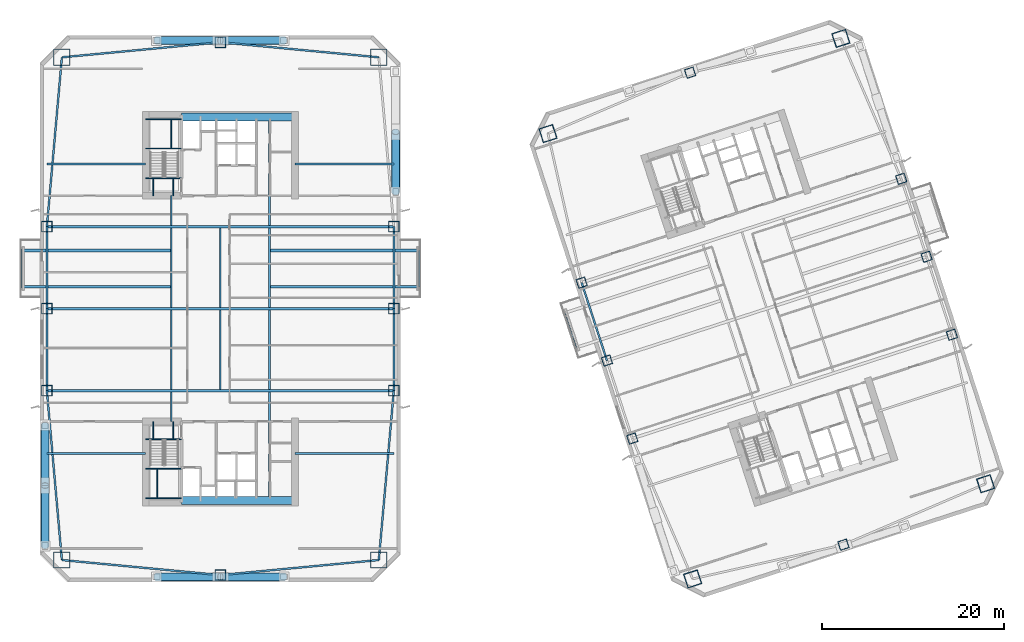
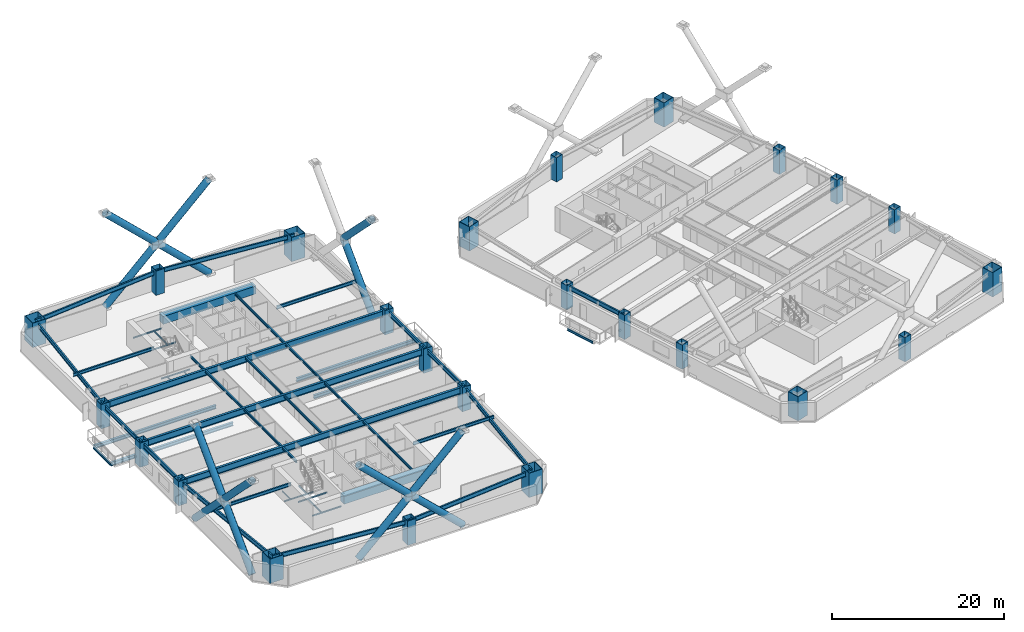
# One storey, part 1 of 18: 50 beams, 24 columns, 14 members.
"""IFC4 building model written with IfcOpenShell, lengths in metres."""

from ifc_helpers import new_model, si_unit, direction, frame, origin, origin_2d, place, context, subcontext, project, spatial, rectangle, hollow_rectangle, hollow_circle, i_section, extrude, material, material_profile, profile_set, type_object, element, save


model = new_model("IFC4")

# Units and contexts
model_context = context("Model", 3, precision=1e-05, world=origin(), true_north=direction((0.0, 1.0)))
body_context = subcontext(model_context, "Body", "Model", "MODEL_VIEW")
ifc_project = project(units=[si_unit("LENGTHUNIT", "METRE"), si_unit("AREAUNIT", "SQUARE_METRE"), si_unit("VOLUMEUNIT", "CUBIC_METRE"), si_unit("PLANEANGLEUNIT", "RADIAN"), si_unit("MASSUNIT", "GRAM", prefix="KILO")], contexts=[model_context])

# Site, building, storey
site_placement = place(None, origin())
site = spatial("IfcSite", under=ifc_project, at=site_placement, CompositionType="ELEMENT")
building_placement = place(site_placement, origin())
building = spatial("IfcBuilding", under=site, at=building_placement, Name="Qiaolan Cultural Towers", CompositionType="ELEMENT")
storey_placement = place(building_placement, frame((0.0, 0.0, 57.5)))
storey = spatial("IfcBuildingStorey", under=building, at=storey_placement, Name="L13", CompositionType="ELEMENT", Elevation=57.5)

# Columns
ifc_material_1 = material(Name="Steel Q355B", Category="steel")
ifc_material_profile_1 = material_profile(ifc_material_1, hollow_rectangle(XDim=1.0, YDim=1.0, WallThickness=0.035888671875, at=origin_2d()), Name="BOX1000x1000x36")
ifc_profile_set_1 = profile_set([ifc_material_profile_1], Name="Steel Q355B")
column_type_1 = type_object("IfcColumnType", Name="COL-BOX1000x1000x36", PredefinedType="COLUMN", material=ifc_profile_set_1)
for number, where, z_axis, x_axis, name in (
    (1, (75.234130859375, 19.739013671875, 0.0), (0.0, 0.0, 1.0), (0.951056516295, 0.309016994375, 0.0), "L13 T2 Perimeter Column PC-W1"),
    (2, (72.453125, 28.298583984375, 0.0), (0.0, 0.0, 1.0), (0.951056516295, 0.309016994375, 0.0), "L13 T2 Perimeter Column PC-W2"),
    (3, (69.671875, 36.858154296875, 0.0), (0.0, 0.0, 1.0), (0.951056516295, 0.309016994375, 0.0), "L13 T2 Perimeter Column PC-W3"),
    (4, (110.328125, 31.141845703125, 0.0), (0.0, 0.0, 1.0), (0.951056516295, 0.309016994375, 0.0), "L13 T2 Perimeter Column PC-E1"),
    (5, (107.546875, 39.701416015625, 0.0), (0.0, 0.0, 1.0), (0.951056516295, 0.309016994375, 0.0), "L13 T2 Perimeter Column PC-E2"),
    (6, (104.765869140625, 48.260986328125, 0.0), (0.0, 0.0, 1.0), (0.951056516295, 0.309016994375, 0.0), "L13 T2 Perimeter Column PC-E3"),
    (7, (98.420654296875, 8.083740234375, 0.0), (0.0, 0.0, 1.0), (0.951056516295, 0.309016994375, 0.0), "L13 T2 Perimeter Column PC-S0"),
    (8, (81.579345703125, 59.916259765625, 0.0), (0.0, 0.0, 1.0), (0.951056516295, 0.309016994375, 0.0), "L13 T2 Perimeter Column PC-N0"),
):
    element("IfcColumn", number, at=place(storey_placement, frame(where, z_axis=z_axis, x_axis=x_axis)), inside=storey, type_object=column_type_1, Name=name, PredefinedType="COLUMN", context=body_context, shape_type="SweptSolid", body=[
        extrude(hollow_rectangle(XDim=1.0, YDim=1.0, WallThickness=0.035888671875, at=origin_2d()), origin(), (0.0, 0.0, 1.0), 3.450927734375),
    ])
ifc_material_2 = material(Name="Steel Q390GJB", Category="steel")
ifc_material_profile_2 = material_profile(ifc_material_2, hollow_rectangle(XDim=1.14990234375, YDim=1.14990234375, WallThickness=0.0400390625, at=origin_2d()), Name="BOX1150x1150x40")
ifc_profile_set_2 = profile_set([ifc_material_profile_2], Name="Steel Q390GJB")
column_type_2 = type_object("IfcColumnType", Name="COL-BOX1150x1150x40", PredefinedType="COLUMN", material=ifc_profile_set_2)
for number, where, z_axis, x_axis, name in (
    (9, (10.949951171875, 25.0, 0.0), (0.0, 0.0, 1.0), (1.0, 0.0, 0.0), "L13 T1 Perimeter Column PC-W1"),
    (10, (10.949951171875, 34.0, 0.0), (0.0, 0.0, 1.0), (1.0, 0.0, 0.0), "L13 T1 Perimeter Column PC-W2"),
    (11, (10.949951171875, 43.0, 0.0), (0.0, 0.0, 1.0), (1.0, 0.0, 0.0), "L13 T1 Perimeter Column PC-W3"),
    (12, (49.050048828125, 25.0, 0.0), (0.0, 0.0, 1.0), (1.0, 0.0, 0.0), "L13 T1 Perimeter Column PC-E1"),
    (13, (49.050048828125, 34.0, 0.0), (0.0, 0.0, 1.0), (1.0, 0.0, 0.0), "L13 T1 Perimeter Column PC-E2"),
    (14, (49.050048828125, 43.0, 0.0), (0.0, 0.0, 1.0), (1.0, 0.0, 0.0), "L13 T1 Perimeter Column PC-E3"),
    (15, (30.0, 4.75, 0.0), (0.0, 0.0, 1.0), (1.0, 0.0, 0.0), "L13 T1 Perimeter Column PC-S0"),
    (16, (30.0, 63.25, 0.0), (0.0, 0.0, 1.0), (1.0, 0.0, 0.0), "L13 T1 Perimeter Column PC-N0"),
):
    element("IfcColumn", number, at=place(storey_placement, frame(where, z_axis=z_axis, x_axis=x_axis)), inside=storey, type_object=column_type_2, Name=name, PredefinedType="COLUMN", context=body_context, shape_type="SweptSolid", body=[
        extrude(hollow_rectangle(XDim=1.14990234375, YDim=1.14990234375, WallThickness=0.0400390625, at=origin_2d()), origin(), (0.0, 0.0, 1.0), 3.450927734375),
    ])
ifc_material_3 = material(Name="Steel Q420GJB", Category="steel")
ifc_material_profile_3 = material_profile(ifc_material_3, hollow_rectangle(XDim=1.60009765625, YDim=1.60009765625, WallThickness=0.054931640625, at=origin_2d()), Name="BOX1600x1600x55")
ifc_profile_set_3 = profile_set([ifc_material_profile_3], Name="Steel Q420GJB")
column_type_3 = type_object("IfcColumnType", Name="COL-BOX1600x1600x55", PredefinedType="COLUMN", material=ifc_profile_set_3)
for number, where, z_axis, x_axis, name in (
    (17, (81.862548828125, 4.32275390625, 0.0), (0.0, 0.0, 1.0), (0.951056516295, 0.309016994375, 0.0), "L13 T2 Perimeter Column MC-SW"),
    (18, (114.027099609375, 14.77392578125, 0.0), (0.0, 0.0, 1.0), (0.951056516295, 0.309016994375, 0.0), "L13 T2 Perimeter Column MC-SE"),
    (19, (98.137451171875, 63.67724609375, 0.0), (0.0, 0.0, 1.0), (0.951056516295, 0.309016994375, 0.0), "L13 T2 Perimeter Column MC-NE"),
    (20, (65.972900390625, 53.22607421875, 0.0), (0.0, 0.0, 1.0), (0.951056516295, 0.309016994375, 0.0), "L13 T2 Perimeter Column MC-NW"),
):
    element("IfcColumn", number, at=place(storey_placement, frame(where, z_axis=z_axis, x_axis=x_axis)), inside=storey, type_object=column_type_3, Name=name, PredefinedType="COLUMN", context=body_context, shape_type="SweptSolid", body=[
        extrude(hollow_rectangle(XDim=1.60009765625, YDim=1.60009765625, WallThickness=0.054931640625, at=origin_2d()), origin(), (0.0, 0.0, 1.0), 3.450927734375),
    ])
ifc_material_4 = material(Name="Steel Q420GJB", Category="steel")
ifc_material_profile_4 = material_profile(ifc_material_4, hollow_rectangle(XDim=1.800048828125, YDim=1.800048828125, WallThickness=0.06005859375, at=origin_2d()), Name="BOX1800x1800x60")
ifc_profile_set_4 = profile_set([ifc_material_profile_4], Name="Steel Q420GJB")
column_type_4 = type_object("IfcColumnType", Name="COL-BOX1800x1800x60", PredefinedType="COLUMN", material=ifc_profile_set_4)
for number, where, z_axis, x_axis, name in (
    (21, (12.60009765625, 6.39990234375, 0.0), (0.0, 0.0, 1.0), (1.0, 0.0, 0.0), "L13 T1 Perimeter Column MC-SW"),
    (22, (47.39990234375, 6.39990234375, 0.0), (0.0, 0.0, 1.0), (1.0, 0.0, 0.0), "L13 T1 Perimeter Column MC-SE"),
    (23, (47.39990234375, 61.60009765625, 0.0), (0.0, 0.0, 1.0), (1.0, 0.0, 0.0), "L13 T1 Perimeter Column MC-NE"),
    (24, (12.60009765625, 61.60009765625, 0.0), (0.0, 0.0, 1.0), (1.0, 0.0, 0.0), "L13 T1 Perimeter Column MC-NW"),
):
    element("IfcColumn", number, at=place(storey_placement, frame(where, z_axis=z_axis, x_axis=x_axis)), inside=storey, type_object=column_type_4, Name=name, PredefinedType="COLUMN", context=body_context, shape_type="SweptSolid", body=[
        extrude(hollow_rectangle(XDim=1.800048828125, YDim=1.800048828125, WallThickness=0.06005859375, at=origin_2d()), origin(), (0.0, 0.0, 1.0), 3.450927734375),
    ])

# Beams
ifc_material_5 = material(Name="Steel Q355B", Category="steel")
ifc_material_profile_5 = material_profile(ifc_material_5, i_section(OverallWidth=0.300048828125, OverallDepth=0.488037109375, WebThickness=0.010986328125, FlangeThickness=0.01806640625, at=origin_2d()), Name="HM488x300x11x18")
ifc_profile_set_5 = profile_set([ifc_material_profile_5], Name="Steel Q355B")
beam_type_1 = type_object("IfcBeamType", Name="BM-HM488x300x11x18", PredefinedType="BEAM", material=ifc_profile_set_5)
for number, where, z_axis, x_axis, name in (
    (25, (24.60009765625, 36.39990234375, -0.52392578125), (-1.0, 0.0, 0.0), (0.0, -1.0, 0.0), "L13 T1 Tree Balcony Back-Spanned Bracket Beam"),
    (26, (24.60009765625, 40.39990234375, -0.52392578125), (-1.0, 0.0, 0.0), (0.0, -1.0, 0.0), "L13 T1 Tree Balcony Back-Spanned Bracket Beam"),
    (27, (35.39990234375, 36.39990234375, -0.52392578125), (1.0, 0.0, 0.0), (0.0, 1.0, 0.0), "L13 T1 Tree Balcony Back-Spanned Bracket Beam"),
    (28, (35.39990234375, 40.39990234375, -0.52392578125), (1.0, 0.0, 0.0), (0.0, 1.0, 0.0), "L13 T1 Tree Balcony Back-Spanned Bracket Beam"),
):
    element("IfcBeam", number, at=place(storey_placement, frame(where, z_axis=z_axis, x_axis=x_axis)), inside=storey, type_object=beam_type_1, Name=name, PredefinedType="BEAM", context=body_context, shape_type="SweptSolid", body=[
        extrude(i_section(OverallWidth=0.300048828125, OverallDepth=0.488037109375, WebThickness=0.010986328125, FlangeThickness=0.01806640625, at=origin_2d()), origin(), (0.0, 0.0, 1.0), 16.4501953125),
    ])
ifc_material_6 = material(Name="Steel Q355B", Category="steel")
ifc_material_profile_6 = material_profile(ifc_material_6, i_section(OverallWidth=0.300048828125, OverallDepth=0.89990234375, WebThickness=0.01611328125, FlangeThickness=0.028076171875, at=origin_2d()), Name="HN900x300x16x28")
ifc_profile_set_6 = profile_set([ifc_material_profile_6], Name="Steel Q355B")
beam_type_2 = type_object("IfcBeamType", Name="BM-HN900x300x16x28", PredefinedType="BEAM", material=ifc_profile_set_6)
for number, where, z_axis, x_axis, name in (
    (29, (10.949951171875, 25.0, 2.739990234375), (1.0, 0.0, 0.0), (0.0, 1.0, 0.0), "L13 T1 Primary Transverse Girder V1"),
    (30, (10.949951171875, 34.0, 2.739990234375), (1.0, 0.0, 0.0), (0.0, 1.0, 0.0), "L13 T1 Primary Transverse Girder V2"),
    (31, (10.949951171875, 43.0, 2.739990234375), (1.0, 0.0, 0.0), (0.0, 1.0, 0.0), "L13 T1 Primary Transverse Girder V3"),
):
    element("IfcBeam", number, at=place(storey_placement, frame(where, z_axis=z_axis, x_axis=x_axis)), inside=storey, type_object=beam_type_2, Name=name, PredefinedType="BEAM", context=body_context, shape_type="SweptSolid", body=[
        extrude(i_section(OverallWidth=0.300048828125, OverallDepth=0.89990234375, WebThickness=0.01611328125, FlangeThickness=0.028076171875, at=origin_2d()), origin(), (0.0, 0.0, 1.0), 38.10009765625),
    ])
ifc_material_7 = material(Name="Steel Q355B", Category="steel")
ifc_material_profile_7 = material_profile(ifc_material_7, i_section(OverallWidth=0.175048828125, OverallDepth=0.35009765625, WebThickness=0.007080078125, FlangeThickness=0.010986328125, at=origin_2d()), Name="HN350x175x7x11")
ifc_profile_set_7 = profile_set([ifc_material_profile_7], Name="Steel Q355B")
beam_type_3 = type_object("IfcBeamType", Name="BM-JST-HN350x175x7x11", PredefinedType="JOIST", material=ifc_profile_set_7)
for number, where, z_axis, x_axis, name in (
    (32, (8.14990234375, 36.39990234375, -0.52392578125), (0.0, 1.0, 0.0), (-1.0, 0.0, 0.0), "L13 T1 Tree Balcony Outer Edge Beam"),
    (33, (51.85009765625, 36.39990234375, -0.52392578125), (0.0, 1.0, 0.0), (-1.0, 0.0, 0.0), "L13 T1 Tree Balcony Outer Edge Beam"),
):
    element("IfcBeam", number, at=place(storey_placement, frame(where, z_axis=z_axis, x_axis=x_axis)), inside=storey, type_object=beam_type_3, Name=name, PredefinedType="JOIST", context=body_context, shape_type="SweptSolid", body=[
        extrude(i_section(OverallWidth=0.175048828125, OverallDepth=0.35009765625, WebThickness=0.007080078125, FlangeThickness=0.010986328125, at=origin_2d()), origin(), (0.0, 0.0, 1.0), 4.0),
    ])
beam_1_placement = place(storey_placement, frame((69.04833984375, 29.7158203125, -0.52392578125), z_axis=(-0.3090046493, 0.951060527364, 0.0), x_axis=(-0.951060527364, -0.3090046493, 0.0)))
element("IfcBeam", 34, at=beam_1_placement, inside=storey, type_object=beam_type_3, Name="L13 T2 Tree Balcony Outer Edge Beam", PredefinedType="JOIST", context=body_context, shape_type="SweptSolid", body=[
    extrude(i_section(OverallWidth=0.175048828125, OverallDepth=0.35009765625, WebThickness=0.007080078125, FlangeThickness=0.010986328125, at=origin_2d()), origin(), (0.0, 0.0, 1.0), 4.000244140625),
])
beam_2_placement = place(storey_placement, frame((24.60009765625, 21.60009765625, 3.014892578125), z_axis=(0.0, 1.0, 0.0), x_axis=(-1.0, 0.0, 0.0)))
element("IfcBeam", 35, at=beam_2_placement, inside=storey, type_object=beam_type_3, Name="L13 T1 Secondary Floor Joist U1-1", PredefinedType="JOIST", context=body_context, shape_type="SweptSolid", body=[
    extrude(i_section(OverallWidth=0.175048828125, OverallDepth=0.35009765625, WebThickness=0.007080078125, FlangeThickness=0.010986328125, at=origin_2d()), origin(), (0.0, 0.0, 1.0), 3.25),
])
for number, where, z_axis, x_axis, name in (
    (36, (24.60009765625, 25.14990234375, 3.014892578125), (0.0, 1.0, 0.0), (-1.0, 0.0, 0.0), "L13 T1 Secondary Floor Joist U1-2"),
    (37, (24.60009765625, 34.14990234375, 3.014892578125), (0.0, 1.0, 0.0), (-1.0, 0.0, 0.0), "L13 T1 Secondary Floor Joist U1-3"),
):
    element("IfcBeam", number, at=place(storey_placement, frame(where, z_axis=z_axis, x_axis=x_axis)), inside=storey, type_object=beam_type_3, Name=name, PredefinedType="JOIST", context=body_context, shape_type="SweptSolid", body=[
        extrude(i_section(OverallWidth=0.175048828125, OverallDepth=0.35009765625, WebThickness=0.007080078125, FlangeThickness=0.010986328125, at=origin_2d()), origin(), (0.0, 0.0, 1.0), 8.7001953125),
    ])
beam_3_placement = place(storey_placement, frame((24.60009765625, 43.14990234375, 3.014892578125), z_axis=(0.0, 1.0, 0.0), x_axis=(-1.0, 0.0, 0.0)))
element("IfcBeam", 38, at=beam_3_placement, inside=storey, type_object=beam_type_3, Name="L13 T1 Secondary Floor Joist U1-4", PredefinedType="JOIST", context=body_context, shape_type="SweptSolid", body=[
    extrude(i_section(OverallWidth=0.175048828125, OverallDepth=0.35009765625, WebThickness=0.007080078125, FlangeThickness=0.010986328125, at=origin_2d()), origin(), (0.0, 0.0, 1.0), 3.25),
])
for number, where, z_axis, x_axis, name in (
    (39, (30.0, 25.14990234375, 3.014892578125), (0.0, 1.0, 0.0), (-1.0, 0.0, 0.0), "L13 T1 Secondary Floor Joist U2-2"),
    (40, (30.0, 34.14990234375, 3.014892578125), (0.0, 1.0, 0.0), (-1.0, 0.0, 0.0), "L13 T1 Secondary Floor Joist U2-3"),
):
    element("IfcBeam", number, at=place(storey_placement, frame(where, z_axis=z_axis, x_axis=x_axis)), inside=storey, type_object=beam_type_3, Name=name, PredefinedType="JOIST", context=body_context, shape_type="SweptSolid", body=[
        extrude(i_section(OverallWidth=0.175048828125, OverallDepth=0.35009765625, WebThickness=0.007080078125, FlangeThickness=0.010986328125, at=origin_2d()), origin(), (0.0, 0.0, 1.0), 8.7001953125),
    ])
beam_4_placement = place(storey_placement, frame((35.39990234375, 13.39990234375, 3.014892578125), z_axis=(0.0, 1.0, 0.0), x_axis=(-1.0, 0.0, 0.0)))
element("IfcBeam", 41, at=beam_4_placement, inside=storey, type_object=beam_type_3, Name="L13 T1 Secondary Floor Joist U3-1", PredefinedType="JOIST", context=body_context, shape_type="SweptSolid", body=[
    extrude(i_section(OverallWidth=0.175048828125, OverallDepth=0.35009765625, WebThickness=0.007080078125, FlangeThickness=0.010986328125, at=origin_2d()), origin(), (0.0, 0.0, 1.0), 11.4501953125),
])
for number, where, z_axis, x_axis, name in (
    (42, (35.39990234375, 25.14990234375, 3.014892578125), (0.0, 1.0, 0.0), (-1.0, 0.0, 0.0), "L13 T1 Secondary Floor Joist U3-2"),
    (43, (35.39990234375, 34.14990234375, 3.014892578125), (0.0, 1.0, 0.0), (-1.0, 0.0, 0.0), "L13 T1 Secondary Floor Joist U3-3"),
):
    element("IfcBeam", number, at=place(storey_placement, frame(where, z_axis=z_axis, x_axis=x_axis)), inside=storey, type_object=beam_type_3, Name=name, PredefinedType="JOIST", context=body_context, shape_type="SweptSolid", body=[
        extrude(i_section(OverallWidth=0.175048828125, OverallDepth=0.35009765625, WebThickness=0.007080078125, FlangeThickness=0.010986328125, at=origin_2d()), origin(), (0.0, 0.0, 1.0), 8.7001953125),
    ])
beam_5_placement = place(storey_placement, frame((35.39990234375, 43.14990234375, 3.014892578125), z_axis=(0.0, 1.0, 0.0), x_axis=(-1.0, 0.0, 0.0)))
element("IfcBeam", 44, at=beam_5_placement, inside=storey, type_object=beam_type_3, Name="L13 T1 Secondary Floor Joist U3-4", PredefinedType="JOIST", context=body_context, shape_type="SweptSolid", body=[
    extrude(i_section(OverallWidth=0.175048828125, OverallDepth=0.35009765625, WebThickness=0.007080078125, FlangeThickness=0.010986328125, at=origin_2d()), origin(), (0.0, 0.0, 1.0), 11.4501953125),
])
ifc_material_8 = material(Name="Steel Q355B", Category="steel")
ifc_material_profile_8 = material_profile(ifc_material_8, i_section(OverallWidth=0.199951171875, OverallDepth=0.449951171875, WebThickness=0.009033203125, FlangeThickness=0.013916015625, at=origin_2d()), Name="HN450x200x9x14")
ifc_profile_set_8 = profile_set([ifc_material_profile_8], Name="Steel Q355B")
beam_type_4 = type_object("IfcBeamType", Name="BM-LNT-HN450x200x9x14", PredefinedType="LINTEL", material=ifc_profile_set_8)
for number, where, z_axis, x_axis, name in (
    (45, (21.800048828125, 18.10009765625, 2.965087890625), (-1.0, 0.0, 0.0), (0.0, -1.0, 0.0), "L13 T1 Core Flank Tie Lintel WS"),
    (46, (21.800048828125, 49.89990234375, 2.965087890625), (-1.0, 0.0, 0.0), (0.0, -1.0, 0.0), "L13 T1 Core Flank Tie Lintel WN"),
    (47, (38.199951171875, 18.10009765625, 2.965087890625), (1.0, 0.0, 0.0), (0.0, 1.0, 0.0), "L13 T1 Core Flank Tie Lintel ES"),
    (48, (38.199951171875, 49.89990234375, 2.965087890625), (1.0, 0.0, 0.0), (0.0, 1.0, 0.0), "L13 T1 Core Flank Tie Lintel EN"),
):
    element("IfcBeam", number, at=place(storey_placement, frame(where, z_axis=z_axis, x_axis=x_axis)), inside=storey, type_object=beam_type_4, Name=name, PredefinedType="LINTEL", context=body_context, shape_type="SweptSolid", body=[
        extrude(i_section(OverallWidth=0.199951171875, OverallDepth=0.449951171875, WebThickness=0.009033203125, FlangeThickness=0.013916015625, at=origin_2d()), origin(), (0.0, 0.0, 1.0), 10.85009765625),
    ])
ifc_material_9 = material(Name="Concrete C50", Category="concrete")
ifc_material_profile_9 = material_profile(ifc_material_9, rectangle(XDim=0.89990234375, YDim=1.10009765625, at=origin_2d()), Name="RC900x1100")
ifc_profile_set_9 = profile_set([ifc_material_profile_9], Name="Concrete C50")
beam_type_5 = type_object("IfcBeamType", Name="BM-RC900x1100", PredefinedType="BEAM", material=ifc_profile_set_9)
for number, where, z_axis, x_axis, name in (
    (49, (25.719970703125, 12.949951171875, 2.639892578125), (1.0, 0.0, 0.0), (0.0, 1.0, 0.0), "L13 T1 Core Header Girder S"),
    (50, (25.719970703125, 55.050048828125, 2.639892578125), (1.0, 0.0, 0.0), (0.0, 1.0, 0.0), "L13 T1 Core Header Girder N"),
):
    element("IfcBeam", number, at=place(storey_placement, frame(where, z_axis=z_axis, x_axis=x_axis)), inside=storey, type_object=beam_type_5, Name=name, PredefinedType="BEAM", context=body_context, shape_type="SweptSolid", body=[
        extrude(rectangle(XDim=0.89990234375, YDim=1.10009765625, at=origin_2d()), origin(), (0.0, 0.0, 1.0), 12.47998046875),
    ])
ifc_material_10 = material(Name="Steel Q355B", Category="steel")
ifc_material_profile_10 = material_profile(ifc_material_10, i_section(OverallWidth=0.199951171875, OverallDepth=0.60009765625, WebThickness=0.010986328125, FlangeThickness=0.01708984375, at=origin_2d()), Name="HN600x200x11x17")
ifc_profile_set_10 = profile_set([ifc_material_profile_10], Name="Steel Q355B")
beam_type_6 = type_object("IfcBeamType", Name="BM-SPD-HN600x200x11x17", PredefinedType="SPANDREL", material=ifc_profile_set_10)
for number, where, z_axis, x_axis, name in (
    (51, (12.60009765625, 6.39990234375, 2.889892578125), (0.995534437156, -0.094399070104, 0.0), (0.094399070104, 0.995534437156, 0.0), "L13 T1 Perimeter Spandrel Beam 1"),
    (52, (30.0, 4.75, 2.889892578125), (0.995534437156, 0.094399070104, 0.0), (-0.094399070104, 0.995534437156, 0.0), "L13 T1 Perimeter Spandrel Beam 2"),
):
    element("IfcBeam", number, at=place(storey_placement, frame(where, z_axis=z_axis, x_axis=x_axis)), inside=storey, type_object=beam_type_6, Name=name, PredefinedType="SPANDREL", context=body_context, shape_type="SweptSolid", body=[
        extrude(i_section(OverallWidth=0.199951171875, OverallDepth=0.60009765625, WebThickness=0.010986328125, FlangeThickness=0.01708984375, at=origin_2d()), origin(), (0.0, 0.0, 1.0), 17.47802734375),
    ])
beam_6_placement = place(storey_placement, frame((47.39990234375, 6.39990234375, 2.889892578125), z_axis=(0.08837000091, 0.996087718496, 0.0), x_axis=(-0.996087718496, 0.08837000091, 0.0)))
element("IfcBeam", 53, at=beam_6_placement, inside=storey, type_object=beam_type_6, Name="L13 T1 Perimeter Spandrel Beam 3", PredefinedType="SPANDREL", context=body_context, shape_type="SweptSolid", body=[
    extrude(i_section(OverallWidth=0.199951171875, OverallDepth=0.60009765625, WebThickness=0.010986328125, FlangeThickness=0.01708984375, at=origin_2d()), origin(), (0.0, 0.0, 1.0), 18.673095703125),
])
for number, where, z_axis, x_axis, name in (
    (54, (49.050048828125, 25.0, 2.889892578125), (0.0, 1.0, 0.0), (-1.0, 0.0, 0.0), "L13 T1 Perimeter Spandrel Beam 4"),
    (55, (49.050048828125, 34.0, 2.889892578125), (0.0, 1.0, 0.0), (-1.0, 0.0, 0.0), "L13 T1 Perimeter Spandrel Beam 5"),
):
    element("IfcBeam", number, at=place(storey_placement, frame(where, z_axis=z_axis, x_axis=x_axis)), inside=storey, type_object=beam_type_6, Name=name, PredefinedType="SPANDREL", context=body_context, shape_type="SweptSolid", body=[
        extrude(i_section(OverallWidth=0.199951171875, OverallDepth=0.60009765625, WebThickness=0.010986328125, FlangeThickness=0.01708984375, at=origin_2d()), origin(), (0.0, 0.0, 1.0), 9.0),
    ])
for number, where, z_axis, x_axis, name in (
    (56, (47.39990234375, 61.60009765625, 2.889892578125), (-0.995534437156, 0.094399070104, 0.0), (-0.094399070104, -0.995534437156, 0.0), "L13 T1 Perimeter Spandrel Beam 7"),
    (57, (30.0, 63.25, 2.889892578125), (-0.995534437156, -0.094399070104, 0.0), (0.094399070104, -0.995534437156, 0.0), "L13 T1 Perimeter Spandrel Beam 8"),
):
    element("IfcBeam", number, at=place(storey_placement, frame(where, z_axis=z_axis, x_axis=x_axis)), inside=storey, type_object=beam_type_6, Name=name, PredefinedType="SPANDREL", context=body_context, shape_type="SweptSolid", body=[
        extrude(i_section(OverallWidth=0.199951171875, OverallDepth=0.60009765625, WebThickness=0.010986328125, FlangeThickness=0.01708984375, at=origin_2d()), origin(), (0.0, 0.0, 1.0), 17.47802734375),
    ])
beam_7_placement = place(storey_placement, frame((12.60009765625, 61.60009765625, 2.889892578125), z_axis=(-0.08837000091, -0.996087718496, 0.0), x_axis=(0.996087718496, -0.08837000091, 0.0)))
element("IfcBeam", 58, at=beam_7_placement, inside=storey, type_object=beam_type_6, Name="L13 T1 Perimeter Spandrel Beam 9", PredefinedType="SPANDREL", context=body_context, shape_type="SweptSolid", body=[
    extrude(i_section(OverallWidth=0.199951171875, OverallDepth=0.60009765625, WebThickness=0.010986328125, FlangeThickness=0.01708984375, at=origin_2d()), origin(), (0.0, 0.0, 1.0), 18.673095703125),
])
for number, where, z_axis, x_axis, name in (
    (59, (10.949951171875, 43.0, 2.889892578125), (0.0, -1.0, 0.0), (1.0, 0.0, 0.0), "L13 T1 Perimeter Spandrel Beam 10"),
    (60, (10.949951171875, 34.0, 2.889892578125), (0.0, -1.0, 0.0), (1.0, 0.0, 0.0), "L13 T1 Perimeter Spandrel Beam 11"),
):
    element("IfcBeam", number, at=place(storey_placement, frame(where, z_axis=z_axis, x_axis=x_axis)), inside=storey, type_object=beam_type_6, Name=name, PredefinedType="SPANDREL", context=body_context, shape_type="SweptSolid", body=[
        extrude(i_section(OverallWidth=0.199951171875, OverallDepth=0.60009765625, WebThickness=0.010986328125, FlangeThickness=0.01708984375, at=origin_2d()), origin(), (0.0, 0.0, 1.0), 9.0),
    ])
beam_8_placement = place(storey_placement, frame((10.949951171875, 25.0, 2.889892578125), z_axis=(0.08837000091, -0.996087718496, 0.0), x_axis=(0.996087718496, 0.08837000091, 0.0)))
element("IfcBeam", 61, at=beam_8_placement, inside=storey, type_object=beam_type_6, Name="L13 T1 Perimeter Spandrel Beam 12", PredefinedType="SPANDREL", context=body_context, shape_type="SweptSolid", body=[
    extrude(i_section(OverallWidth=0.199951171875, OverallDepth=0.60009765625, WebThickness=0.010986328125, FlangeThickness=0.01708984375, at=origin_2d()), origin(), (0.0, 0.0, 1.0), 18.673095703125),
])
beam_9_placement = place(storey_placement, frame((69.671875, 36.858154296875, 2.889892578125), z_axis=(0.309024734286, -0.951054001411, 0.0), x_axis=(0.951054001411, 0.309024734286, 0.0)))
element("IfcBeam", 62, at=beam_9_placement, inside=storey, type_object=beam_type_6, Name="L13 T2 Perimeter Spandrel Beam 10", PredefinedType="SPANDREL", context=body_context, shape_type="SweptSolid", body=[
    extrude(i_section(OverallWidth=0.199951171875, OverallDepth=0.60009765625, WebThickness=0.010986328125, FlangeThickness=0.01708984375, at=origin_2d()), origin(), (0.0, 0.0, 1.0), 9.0),
])
ifc_material_11 = material(Name="Steel Q355B", Category="steel")
ifc_material_profile_11 = material_profile(ifc_material_11, i_section(OverallWidth=0.10009765625, OverallDepth=0.199951171875, WebThickness=0.005615234375, FlangeThickness=0.008056640625, at=origin_2d()), Name="HN200x100x5.5x8")
ifc_profile_set_11 = profile_set([ifc_material_profile_11], Name="Steel Q355B")
beam_type_7 = type_object("IfcBeamType", Name="BM-STTRIM-200", PredefinedType="BEAM", material=ifc_profile_set_11)
beam_10_placement = place(storey_placement, frame((21.800048828125, 19.659912109375, -0.4599609375), z_axis=(1.0, 0.0, 0.0), x_axis=(0.0, 1.0, 0.0)))
element("IfcBeam", 63, at=beam_10_placement, inside=storey, type_object=beam_type_7, Name="L13 ST-W1 Floor Landing Header Beam", PredefinedType="BEAM", context=body_context, shape_type="SweptSolid", body=[
    extrude(i_section(OverallWidth=0.10009765625, OverallDepth=0.199951171875, WebThickness=0.005615234375, FlangeThickness=0.008056640625, at=origin_2d()), origin(), (0.0, 0.0, 1.0), 3.919921875),
])
for number, where, z_axis, x_axis, name in (
    (64, (22.64990234375, 21.60009765625, -0.4599609375), (0.0, -1.0, 0.0), (1.0, 0.0, 0.0), "L13 ST-W1 Floor Landing Stringer 1"),
    (65, (24.85009765625, 21.60009765625, -0.4599609375), (0.0, -1.0, 0.0), (1.0, 0.0, 0.0), "L13 ST-W1 Floor Landing Stringer 2"),
):
    element("IfcBeam", number, at=place(storey_placement, frame(where, z_axis=z_axis, x_axis=x_axis)), inside=storey, type_object=beam_type_7, Name=name, PredefinedType="BEAM", context=body_context, shape_type="SweptSolid", body=[
        extrude(i_section(OverallWidth=0.10009765625, OverallDepth=0.199951171875, WebThickness=0.005615234375, FlangeThickness=0.008056640625, at=origin_2d()), origin(), (0.0, 0.0, 1.0), 1.940185546875),
    ])
for number, where, z_axis, x_axis, name in (
    (66, (21.800048828125, 16.411376953125, 1.425048828125), (1.0, 0.0, 0.0), (0.0, 1.0, 0.0), "L13 ST-W1 Stair Landing Support Beam 1-1"),
    (67, (21.800048828125, 13.179931640625, 1.425048828125), (1.0, 0.0, 0.0), (0.0, 1.0, 0.0), "L13 ST-W1 Stair Landing Support Beam 1-2"),
):
    element("IfcBeam", number, at=place(storey_placement, frame(where, z_axis=z_axis, x_axis=x_axis)), inside=storey, type_object=beam_type_7, Name=name, PredefinedType="BEAM", context=body_context, shape_type="SweptSolid", body=[
        extrude(i_section(OverallWidth=0.10009765625, OverallDepth=0.199951171875, WebThickness=0.005615234375, FlangeThickness=0.008056640625, at=origin_2d()), origin(), (0.0, 0.0, 1.0), 3.919921875),
    ])
beam_11_placement = place(storey_placement, frame((23.070068359375, 16.411376953125, 1.425048828125), z_axis=(0.0, -1.0, 0.0), x_axis=(1.0, 0.0, 0.0)))
element("IfcBeam", 68, at=beam_11_placement, inside=storey, type_object=beam_type_7, Name="L13 ST-W1 Stair Landing Trimmer 1", PredefinedType="BEAM", context=body_context, shape_type="SweptSolid", body=[
    extrude(i_section(OverallWidth=0.10009765625, OverallDepth=0.199951171875, WebThickness=0.005615234375, FlangeThickness=0.008056640625, at=origin_2d()), origin(), (0.0, 0.0, 1.0), 3.2314453125),
])
beam_12_placement = place(storey_placement, frame((21.800048828125, 48.340087890625, -0.4599609375), z_axis=(1.0, 0.0, 0.0), x_axis=(0.0, 1.0, 0.0)))
element("IfcBeam", 69, at=beam_12_placement, inside=storey, type_object=beam_type_7, Name="L13 ST-W2 Floor Landing Header Beam", PredefinedType="BEAM", context=body_context, shape_type="SweptSolid", body=[
    extrude(i_section(OverallWidth=0.10009765625, OverallDepth=0.199951171875, WebThickness=0.005615234375, FlangeThickness=0.008056640625, at=origin_2d()), origin(), (0.0, 0.0, 1.0), 3.919921875),
])
for number, where, z_axis, x_axis, name in (
    (70, (22.64990234375, 46.39990234375, -0.4599609375), (0.0, 1.0, 0.0), (-1.0, 0.0, 0.0), "L13 ST-W2 Floor Landing Stringer 1"),
    (71, (24.85009765625, 46.39990234375, -0.4599609375), (0.0, 1.0, 0.0), (-1.0, 0.0, 0.0), "L13 ST-W2 Floor Landing Stringer 2"),
):
    element("IfcBeam", number, at=place(storey_placement, frame(where, z_axis=z_axis, x_axis=x_axis)), inside=storey, type_object=beam_type_7, Name=name, PredefinedType="BEAM", context=body_context, shape_type="SweptSolid", body=[
        extrude(i_section(OverallWidth=0.10009765625, OverallDepth=0.199951171875, WebThickness=0.005615234375, FlangeThickness=0.008056640625, at=origin_2d()), origin(), (0.0, 0.0, 1.0), 1.940185546875),
    ])
for number, where, z_axis, x_axis, name in (
    (72, (21.800048828125, 51.588623046875, 1.425048828125), (1.0, 0.0, 0.0), (0.0, 1.0, 0.0), "L13 ST-W2 Stair Landing Support Beam 1-1"),
    (73, (21.800048828125, 54.820068359375, 1.425048828125), (1.0, 0.0, 0.0), (0.0, 1.0, 0.0), "L13 ST-W2 Stair Landing Support Beam 1-2"),
):
    element("IfcBeam", number, at=place(storey_placement, frame(where, z_axis=z_axis, x_axis=x_axis)), inside=storey, type_object=beam_type_7, Name=name, PredefinedType="BEAM", context=body_context, shape_type="SweptSolid", body=[
        extrude(i_section(OverallWidth=0.10009765625, OverallDepth=0.199951171875, WebThickness=0.005615234375, FlangeThickness=0.008056640625, at=origin_2d()), origin(), (0.0, 0.0, 1.0), 3.919921875),
    ])
beam_13_placement = place(storey_placement, frame((24.610107421875, 51.588623046875, 1.425048828125), z_axis=(0.0, 1.0, 0.0), x_axis=(-1.0, 0.0, 0.0)))
element("IfcBeam", 74, at=beam_13_placement, inside=storey, type_object=beam_type_7, Name="L13 ST-W2 Stair Landing Trimmer 1", PredefinedType="BEAM", context=body_context, shape_type="SweptSolid", body=[
    extrude(i_section(OverallWidth=0.10009765625, OverallDepth=0.199951171875, WebThickness=0.005615234375, FlangeThickness=0.008056640625, at=origin_2d()), origin(), (0.0, 0.0, 1.0), 3.2314453125),
])

# Members
ifc_material_12 = material(Name="Steel Q390GJB", Category="steel")
ifc_material_profile_12 = material_profile(ifc_material_12, hollow_circle(Radius=0.449951171875, WallThickness=0.044921875, at=origin_2d()), Name="CHS900x45")
ifc_profile_set_12 = profile_set([ifc_material_profile_12], Name="Steel Q390GJB")
member_type = type_object("IfcMemberType", Name="MBR-BRC-CHS900x45", PredefinedType="BRACE", material=ifc_profile_set_12)
for number, where, z_axis, x_axis, name in (
    (75, (10.75, 7.949951171875, 0.14990234375), (0.0, 0.704440911161, 0.709762638269), (-1.0, 0.0, 0.0), "T1 WEST Perimeter Frame Diagonal W-Z1-M3-D1A"),
    (76, (10.75, 14.574951171875, 6.824951171875), (0.0, 0.704440911161, 0.709762638269), (-1.0, 0.0, 0.0), "T1 WEST Perimeter Frame Diagonal W-Z1-M3-D1B"),
    (77, (10.75, 21.199951171875, 0.14990234375), (0.0, -0.704440911161, 0.709762638269), (1.0, 0.0, 0.0), "T1 WEST Perimeter Frame Diagonal W-Z1-M3-D2A"),
    (78, (10.75, 14.574951171875, 6.824951171875), (0.0, -0.704440911161, 0.709762638269), (1.0, 0.0, 0.0), "T1 WEST Perimeter Frame Diagonal W-Z1-M3-D2B"),
    (79, (49.25, 46.800048828125, 0.14990234375), (0.0, 0.704440911161, 0.709762638269), (-1.0, 0.0, 0.0), "T1 EAST Perimeter Frame Diagonal W-Z1-M3-D1A"),
    (80, (49.25, 53.425048828125, 6.824951171875), (0.0, -0.704440911161, 0.709762638269), (1.0, 0.0, 0.0), "T1 EAST Perimeter Frame Diagonal W-Z1-M3-D2B"),
):
    element("IfcMember", number, at=place(storey_placement, frame(where, z_axis=z_axis, x_axis=x_axis)), inside=storey, type_object=member_type, Name=name, PredefinedType="BRACE", context=body_context, shape_type="SweptSolid", body=[
        extrude(hollow_circle(Radius=0.449951171875, WallThickness=0.044921875, at=origin_2d()), origin(), (0.0, 0.0, 1.0), 9.404541015625),
    ])
for number, where, z_axis, x_axis, name in (
    (81, (23.0, 4.550048828125, 0.14990234375), (0.723705002801, 0.0, 0.69010946155), (0.0, 1.0, 0.0), "T1 SOUTH Perimeter Frame Diagonal W-Z1-M3-D1A"),
    (82, (30.0, 4.550048828125, 6.824951171875), (0.723705002801, 0.0, 0.69010946155), (0.0, 1.0, 0.0), "T1 SOUTH Perimeter Frame Diagonal W-Z1-M3-D1B"),
    (83, (37.0, 4.550048828125, 0.14990234375), (-0.723705002801, 0.0, 0.69010946155), (0.0, -1.0, 0.0), "T1 SOUTH Perimeter Frame Diagonal W-Z1-M3-D2A"),
    (84, (30.0, 4.550048828125, 6.824951171875), (-0.723705002801, 0.0, 0.69010946155), (0.0, -1.0, 0.0), "T1 SOUTH Perimeter Frame Diagonal W-Z1-M3-D2B"),
    (85, (23.0, 63.449951171875, 0.14990234375), (0.723705002801, 0.0, 0.69010946155), (0.0, 1.0, 0.0), "T1 NORTH Perimeter Frame Diagonal W-Z1-M3-D1A"),
    (86, (30.0, 63.449951171875, 6.824951171875), (0.723705002801, 0.0, 0.69010946155), (0.0, 1.0, 0.0), "T1 NORTH Perimeter Frame Diagonal W-Z1-M3-D1B"),
    (87, (37.0, 63.449951171875, 0.14990234375), (-0.723705002801, 0.0, 0.69010946155), (0.0, -1.0, 0.0), "T1 NORTH Perimeter Frame Diagonal W-Z1-M3-D2A"),
    (88, (30.0, 63.449951171875, 6.824951171875), (-0.723705002801, 0.0, 0.69010946155), (0.0, -1.0, 0.0), "T1 NORTH Perimeter Frame Diagonal W-Z1-M3-D2B"),
):
    element("IfcMember", number, at=place(storey_placement, frame(where, z_axis=z_axis, x_axis=x_axis)), inside=storey, type_object=member_type, Name=name, PredefinedType="BRACE", context=body_context, shape_type="SweptSolid", body=[
        extrude(hollow_circle(Radius=0.449951171875, WallThickness=0.044921875, at=origin_2d()), origin(), (0.0, 0.0, 1.0), 9.67236328125),
    ])

save(model, "model.ifc")
